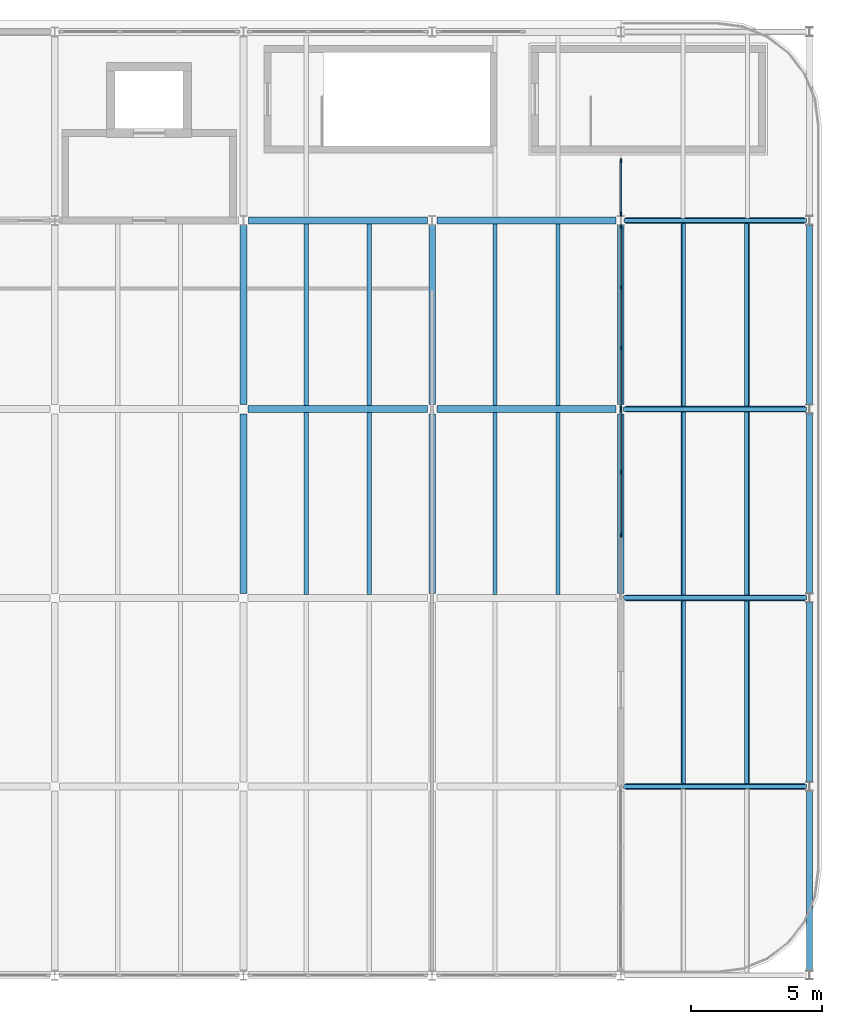
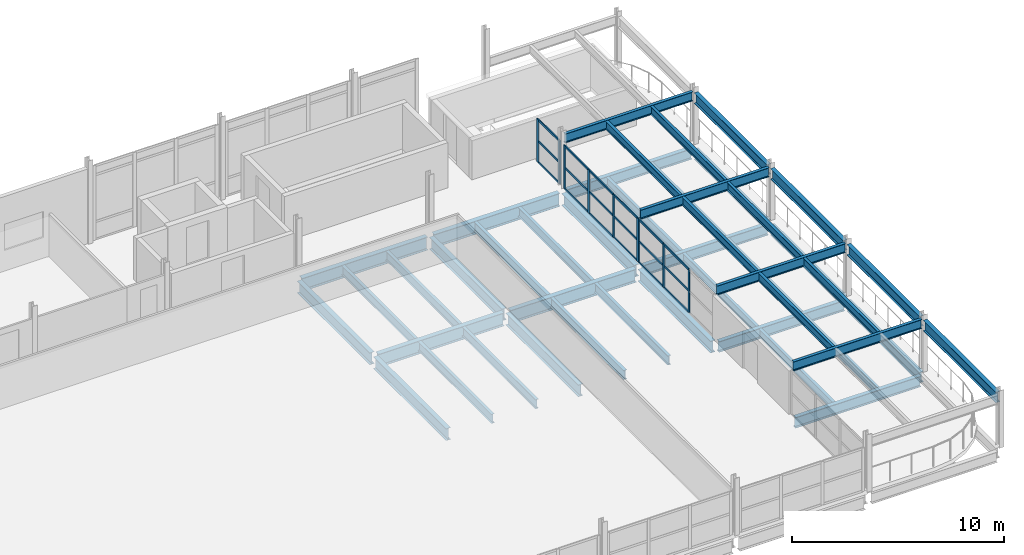
# One storey, part 16 of 25: 45 beams, 27 members, 3 elements without a shape of their own.
"""IFC4 building model written with IfcOpenShell, lengths in metres."""

from ifc_helpers import new_model, si_unit, direction, frame, origin, origin_2d, place, context, subcontext, project, spatial, rectangle, i_section, extrude, material, material_profile, profile_set, type_object, element, aggregate, save


model = new_model("IFC4")

# Units and contexts
model_context = context("Model", 3, precision=1e-05, world=origin(), true_north=direction((0.0, 1.0)))
body_context = subcontext(model_context, "Body", "Model", "MODEL_VIEW")
ifc_project = project(units=[si_unit("LENGTHUNIT", "METRE"), si_unit("AREAUNIT", "SQUARE_METRE"), si_unit("VOLUMEUNIT", "CUBIC_METRE"), si_unit("PLANEANGLEUNIT", "RADIAN"), si_unit("MASSUNIT", "GRAM", prefix="KILO")], contexts=[model_context])

# Site, building, storey
site_placement = place(None, origin())
site = spatial("IfcSite", under=ifc_project, at=site_placement, CompositionType="ELEMENT")
building_placement = place(site_placement, origin())
building = spatial("IfcBuilding", under=site, at=building_placement, Name="Vaelcorin Mobility Hub", CompositionType="ELEMENT")
storey_placement = place(building_placement, frame((0.0, 0.0, 21.0)))
storey = spatial("IfcBuildingStorey", under=building, at=storey_placement, Name="L05", CompositionType="ELEMENT", Elevation=21.0)

# Beams
ifc_material_1 = material(Name="Steel ASTM A992 Grade 50", Category="steel")
ifc_material_profile_1 = material_profile(ifc_material_1, i_section(OverallWidth=0.152099609375, OverallDepth=0.455078125, WebThickness=0.008056640625, FlangeThickness=0.01318359375, FilletRadius=0.012939453125, at=origin_2d()), Name="W18X40")
ifc_profile_set_1 = profile_set([ifc_material_profile_1], Name="Steel ASTM A992 Grade 50")
beam_type_1 = type_object("IfcBeamType", Name="BM-W18X40", PredefinedType="JOIST", material=ifc_profile_set_1)
for number, where, z_axis, x_axis, name in (
    (1, (117.60009765625, 91.31201171875, -0.447021484375), (0.0, 1.0, 0.0), (-1.0, 0.0, 0.0), "L05 Beam V3E-L05-J-01-02-1"),
    (2, (120.0, 91.31201171875, -0.447021484375), (0.0, 1.0, 0.0), (-1.0, 0.0, 0.0), "L05 Beam V3E-L05-J-01-02-2"),
    (3, (117.60009765625, 98.511962890625, -0.447021484375), (0.0, 1.0, 0.0), (-1.0, 0.0, 0.0), "L05 Beam V3E-L05-J-01-03-1"),
    (4, (120.0, 98.511962890625, -0.447021484375), (0.0, 1.0, 0.0), (-1.0, 0.0, 0.0), "L05 Beam V3E-L05-J-01-03-2"),
    (5, (117.60009765625, 105.7119140625, -0.447021484375), (0.0, 1.0, 0.0), (-1.0, 0.0, 0.0), "L05 Beam V3E-L05-J-01-04-1"),
    (6, (120.0, 105.7119140625, -0.447021484375), (0.0, 1.0, 0.0), (-1.0, 0.0, 0.0), "L05 Beam V3E-L05-J-01-04-2"),
):
    element("IfcBeam", number, at=place(storey_placement, frame(where, z_axis=z_axis, x_axis=x_axis)), inside=storey, type_object=beam_type_1, Name=name, PredefinedType="JOIST", context=body_context, shape_type="SweptSolid", body=[
        extrude(i_section(OverallWidth=0.152099609375, OverallDepth=0.455078125, WebThickness=0.008056640625, FlangeThickness=0.01318359375, FilletRadius=0.012939453125, at=origin_2d()), origin(), (0.0, 0.0, 1.0), 6.97607421875),
    ])
for number, where, z_axis, x_axis, name in (
    (7, (120.02392578125, 91.281005859375, 2.77197265625), (0.0, 1.0, 0.0), (-1.0, 0.0, 0.0), "L05 Beam V3-PERG-J-E-02-1"),
    (8, (117.575927734375, 91.281005859375, 2.77197265625), (0.0, 1.0, 0.0), (-1.0, 0.0, 0.0), "L05 Beam V3-PERG-J-E-02-2"),
    (9, (120.02392578125, 98.48095703125, 2.77197265625), (0.0, 1.0, 0.0), (-1.0, 0.0, 0.0), "L05 Beam V3-PERG-J-E-03-1"),
    (10, (117.575927734375, 98.48095703125, 2.77197265625), (0.0, 1.0, 0.0), (-1.0, 0.0, 0.0), "L05 Beam V3-PERG-J-E-03-2"),
    (11, (120.02392578125, 105.680908203125, 2.77197265625), (0.0, 1.0, 0.0), (-1.0, 0.0, 0.0), "L05 Beam V3-PERG-J-E-04-1"),
    (12, (117.575927734375, 105.680908203125, 2.77197265625), (0.0, 1.0, 0.0), (-1.0, 0.0, 0.0), "L05 Beam V3-PERG-J-E-04-2"),
):
    element("IfcBeam", number, at=place(storey_placement, frame(where, z_axis=z_axis, x_axis=x_axis)), inside=storey, type_object=beam_type_1, Name=name, PredefinedType="JOIST", context=body_context, shape_type="SweptSolid", body=[
        extrude(i_section(OverallWidth=0.152099609375, OverallDepth=0.455078125, WebThickness=0.008056640625, FlangeThickness=0.01318359375, FilletRadius=0.012939453125, at=origin_2d()), origin(), (0.0, 0.0, 1.0), 7.0380859375),
    ])
ifc_material_profile_2 = material_profile(ifc_material_1, i_section(OverallWidth=0.166015625, OverallDepth=0.528076171875, WebThickness=0.009765625, FlangeThickness=0.013671875, FilletRadius=0.013916015625, at=origin_2d()), Name="W21X50")
ifc_profile_set_2 = profile_set([ifc_material_profile_2], Name="Steel ASTM A992 Grade 50")
beam_type_2 = type_object("IfcBeamType", Name="BM-W21X50", PredefinedType="JOIST", material=ifc_profile_set_2)
for number, where, z_axis, x_axis, name in (
    (13, (103.199951171875, 98.531982421875, -0.52392578125), (0.0, 1.0, 0.0), (-1.0, 0.0, 0.0), "L05 Beam V3-L05-J-09-03-1"),
    (14, (105.60009765625, 98.531982421875, -0.52392578125), (0.0, 1.0, 0.0), (-1.0, 0.0, 0.0), "L05 Beam V3-L05-J-09-03-2"),
    (15, (103.199951171875, 105.73193359375, -0.52392578125), (0.0, 1.0, 0.0), (-1.0, 0.0, 0.0), "L05 Beam V3-L05-J-09-04-1"),
    (16, (105.60009765625, 105.73193359375, -0.52392578125), (0.0, 1.0, 0.0), (-1.0, 0.0, 0.0), "L05 Beam V3-L05-J-09-04-2"),
    (17, (110.39990234375, 98.531982421875, -0.52392578125), (0.0, 1.0, 0.0), (-1.0, 0.0, 0.0), "L05 Beam V3-L05-J-10-03-1"),
    (18, (112.800048828125, 98.531982421875, -0.52392578125), (0.0, 1.0, 0.0), (-1.0, 0.0, 0.0), "L05 Beam V3-L05-J-10-03-2"),
    (19, (110.39990234375, 105.73193359375, -0.52392578125), (0.0, 1.0, 0.0), (-1.0, 0.0, 0.0), "L05 Beam V3-L05-J-10-04-1"),
    (20, (112.800048828125, 105.73193359375, -0.52392578125), (0.0, 1.0, 0.0), (-1.0, 0.0, 0.0), "L05 Beam V3-L05-J-10-04-2"),
):
    element("IfcBeam", number, at=place(storey_placement, frame(where, z_axis=z_axis, x_axis=x_axis)), inside=storey, type_object=beam_type_2, Name=name, PredefinedType="JOIST", context=body_context, shape_type="SweptSolid", body=[
        extrude(i_section(OverallWidth=0.166015625, OverallDepth=0.528076171875, WebThickness=0.009765625, FlangeThickness=0.013671875, FilletRadius=0.013916015625, at=origin_2d()), origin(), (0.0, 0.0, 1.0), 6.93603515625),
    ])
for number, where, z_axis, x_axis, name in (
    (21, (115.300048828125, 91.199951171875, 2.736083984375), (1.0, 0.0, 0.0), (0.0, 1.0, 0.0), "L05 Beam V3-PERG-GX-12-01"),
    (22, (115.300048828125, 98.39990234375, 2.736083984375), (1.0, 0.0, 0.0), (0.0, 1.0, 0.0), "L05 Beam V3-PERG-GX-12-02"),
    (23, (115.300048828125, 105.60009765625, 2.736083984375), (1.0, 0.0, 0.0), (0.0, 1.0, 0.0), "L05 Beam V3-PERG-GX-12-03"),
):
    element("IfcBeam", number, at=place(storey_placement, frame(where, z_axis=z_axis, x_axis=x_axis)), inside=storey, type_object=beam_type_2, Name=name, PredefinedType="JOIST", context=body_context, shape_type="SweptSolid", body=[
        extrude(i_section(OverallWidth=0.166015625, OverallDepth=0.528076171875, WebThickness=0.009765625, FlangeThickness=0.013671875, FilletRadius=0.013916015625, at=origin_2d()), origin(), (0.0, 0.0, 1.0), 6.974853515625),
    ])
beam_1_placement = place(storey_placement, frame((115.325927734375, 112.800048828125, 2.736083984375), z_axis=(1.0, 0.0, 0.0), x_axis=(0.0, 1.0, 0.0)))
element("IfcBeam", 24, at=beam_1_placement, inside=storey, type_object=beam_type_2, Name="L05 Beam V3-PERG-GX-12-04", PredefinedType="JOIST", context=body_context, shape_type="SweptSolid", body=[
    extrude(i_section(OverallWidth=0.166015625, OverallDepth=0.528076171875, WebThickness=0.009765625, FlangeThickness=0.013671875, FilletRadius=0.013916015625, at=origin_2d()), origin(), (0.0, 0.0, 1.0), 6.948974609375),
])
ifc_material_profile_3 = material_profile(ifc_material_1, i_section(OverallWidth=0.22802734375, OverallDepth=0.60205078125, WebThickness=0.010498046875, FlangeThickness=0.014892578125, FilletRadius=0.014892578125, at=origin_2d()), Name="W24X68")
ifc_profile_set_3 = profile_set([ifc_material_profile_3], Name="Steel ASTM A992 Grade 50")
beam_type_3 = type_object("IfcBeamType", Name="BM-W24X68", PredefinedType="SPANDREL", material=ifc_profile_set_3)
for number, where, z_axis, x_axis, name in (
    (25, (122.39990234375, 91.3759765625, -0.52099609375), (0.0, 1.0, 0.0), (-1.0, 0.0, 0.0), "L05 Beam V3E-L05-GY-02-02"),
    (26, (122.39990234375, 98.575927734375, -0.52099609375), (0.0, 1.0, 0.0), (-1.0, 0.0, 0.0), "L05 Beam V3E-L05-GY-02-03"),
):
    element("IfcBeam", number, at=place(storey_placement, frame(where, z_axis=z_axis, x_axis=x_axis)), inside=storey, type_object=beam_type_3, Name=name, PredefinedType="SPANDREL", context=body_context, shape_type="SweptSolid", body=[
        extrude(i_section(OverallWidth=0.22802734375, OverallDepth=0.60205078125, WebThickness=0.010498046875, FlangeThickness=0.014892578125, FilletRadius=0.014892578125, at=origin_2d()), origin(), (0.0, 0.0, 1.0), 6.84814453125),
    ])
beam_2_placement = place(storey_placement, frame((122.39990234375, 105.77587890625, -0.52099609375), z_axis=(0.0, 1.0, 0.0), x_axis=(-1.0, 0.0, 0.0)))
element("IfcBeam", 27, at=beam_2_placement, inside=storey, type_object=beam_type_3, Name="L05 Beam V3E-L05-GY-02-04", PredefinedType="SPANDREL", context=body_context, shape_type="SweptSolid", body=[
    extrude(i_section(OverallWidth=0.22802734375, OverallDepth=0.60205078125, WebThickness=0.010498046875, FlangeThickness=0.014892578125, FilletRadius=0.014892578125, at=origin_2d()), origin(), (0.0, 0.0, 1.0), 6.84423828125),
])
beam_3_placement = place(storey_placement, frame((122.39990234375, 84.176025390625, 2.698974609375), z_axis=(0.0, 1.0, 0.0), x_axis=(-1.0, 0.0, 0.0)))
element("IfcBeam", 28, at=beam_3_placement, inside=storey, type_object=beam_type_3, Name="L05 Beam V3-PERG-GY-E-01", PredefinedType="SPANDREL", context=body_context, shape_type="SweptSolid", body=[
    extrude(i_section(OverallWidth=0.22802734375, OverallDepth=0.60205078125, WebThickness=0.010498046875, FlangeThickness=0.014892578125, FilletRadius=0.014892578125, at=origin_2d()), origin(), (0.0, 0.0, 1.0), 6.847900390625),
])
for number, where, z_axis, x_axis, name in (
    (29, (122.39990234375, 91.3759765625, 2.698974609375), (0.0, 1.0, 0.0), (-1.0, 0.0, 0.0), "L05 Beam V3-PERG-GY-E-02"),
    (30, (122.39990234375, 98.575927734375, 2.698974609375), (0.0, 1.0, 0.0), (-1.0, 0.0, 0.0), "L05 Beam V3-PERG-GY-E-03"),
    (31, (122.39990234375, 105.77587890625, 2.698974609375), (0.0, 1.0, 0.0), (-1.0, 0.0, 0.0), "L05 Beam V3-PERG-GY-E-04"),
):
    element("IfcBeam", number, at=place(storey_placement, frame(where, z_axis=z_axis, x_axis=x_axis)), inside=storey, type_object=beam_type_3, Name=name, PredefinedType="SPANDREL", context=body_context, shape_type="SweptSolid", body=[
        extrude(i_section(OverallWidth=0.22802734375, OverallDepth=0.60205078125, WebThickness=0.010498046875, FlangeThickness=0.014892578125, FilletRadius=0.014892578125, at=origin_2d()), origin(), (0.0, 0.0, 1.0), 6.84814453125),
    ])
ifc_material_profile_4 = material_profile(ifc_material_1, i_section(OverallWidth=0.22900390625, OverallDepth=0.612060546875, WebThickness=0.011962890625, FlangeThickness=0.01953125, FilletRadius=0.014892578125, at=origin_2d()), Name="W24X84")
ifc_profile_set_4 = profile_set([ifc_material_profile_4], Name="Steel ASTM A992 Grade 50")
beam_type_4 = type_object("IfcBeamType", Name="BM-W24X84", PredefinedType="BEAM", material=ifc_profile_set_4)
for number, where, z_axis, x_axis, name in (
    (32, (115.382080078125, 91.199951171875, -0.52587890625), (1.0, 0.0, 0.0), (0.0, 1.0, 0.0), "L05 Beam V3E-L05-GX-02-01"),
    (33, (115.382080078125, 98.39990234375, -0.52587890625), (1.0, 0.0, 0.0), (0.0, 1.0, 0.0), "L05 Beam V3E-L05-GX-03-01"),
    (34, (115.382080078125, 105.60009765625, -0.52587890625), (1.0, 0.0, 0.0), (0.0, 1.0, 0.0), "L05 Beam V3E-L05-GX-04-01"),
):
    element("IfcBeam", number, at=place(storey_placement, frame(where, z_axis=z_axis, x_axis=x_axis)), inside=storey, type_object=beam_type_4, Name=name, PredefinedType="BEAM", context=body_context, shape_type="SweptSolid", body=[
        extrude(i_section(OverallWidth=0.22900390625, OverallDepth=0.612060546875, WebThickness=0.011962890625, FlangeThickness=0.01953125, FilletRadius=0.014892578125, at=origin_2d()), origin(), (0.0, 0.0, 1.0), 6.8359375),
    ])
beam_4_placement = place(storey_placement, frame((115.384033203125, 112.800048828125, -0.52587890625), z_axis=(1.0, 0.0, 0.0), x_axis=(0.0, 1.0, 0.0)))
element("IfcBeam", 35, at=beam_4_placement, inside=storey, type_object=beam_type_4, Name="L05 Beam V3E-L05-GX-05-01", PredefinedType="BEAM", context=body_context, shape_type="SweptSolid", body=[
    extrude(i_section(OverallWidth=0.22900390625, OverallDepth=0.612060546875, WebThickness=0.011962890625, FlangeThickness=0.01953125, FilletRadius=0.014892578125, at=origin_2d()), origin(), (0.0, 0.0, 1.0), 6.8330078125),
])
ifc_material_profile_5 = material_profile(ifc_material_1, i_section(OverallWidth=0.25390625, OverallDepth=0.68310546875, WebThickness=0.012451171875, FlangeThickness=0.018798828125, FilletRadius=0.01611328125, at=origin_2d()), Name="W27X94")
ifc_profile_set_5 = profile_set([ifc_material_profile_5], Name="Steel ASTM A992 Grade 50")
beam_type_5 = type_object("IfcBeamType", Name="BM-W27X94", PredefinedType="BEAM", material=ifc_profile_set_5)
beam_5_placement = place(storey_placement, frame((100.800048828125, 98.575927734375, -0.60205078125), z_axis=(0.0, 1.0, 0.0), x_axis=(-1.0, 0.0, 0.0)))
element("IfcBeam", 36, at=beam_5_placement, inside=storey, type_object=beam_type_5, Name="L05 Beam V3-L05-GY-09-03", PredefinedType="BEAM", context=body_context, shape_type="SweptSolid", body=[
    extrude(i_section(OverallWidth=0.25390625, OverallDepth=0.68310546875, WebThickness=0.012451171875, FlangeThickness=0.018798828125, FilletRadius=0.01611328125, at=origin_2d()), origin(), (0.0, 0.0, 1.0), 6.84814453125),
])
beam_6_placement = place(storey_placement, frame((100.800048828125, 105.77587890625, -0.60205078125), z_axis=(0.0, 1.0, 0.0), x_axis=(-1.0, 0.0, 0.0)))
element("IfcBeam", 37, at=beam_6_placement, inside=storey, type_object=beam_type_5, Name="L05 Beam V3-L05-GY-09-04", PredefinedType="BEAM", context=body_context, shape_type="SweptSolid", body=[
    extrude(i_section(OverallWidth=0.25390625, OverallDepth=0.68310546875, WebThickness=0.012451171875, FlangeThickness=0.018798828125, FilletRadius=0.01611328125, at=origin_2d()), origin(), (0.0, 0.0, 1.0), 6.84423828125),
])
beam_7_placement = place(storey_placement, frame((108.0, 98.575927734375, -0.60205078125), z_axis=(0.0, 1.0, 0.0), x_axis=(-1.0, 0.0, 0.0)))
element("IfcBeam", 38, at=beam_7_placement, inside=storey, type_object=beam_type_5, Name="L05 Beam V3-L05-GY-10-03", PredefinedType="BEAM", context=body_context, shape_type="SweptSolid", body=[
    extrude(i_section(OverallWidth=0.25390625, OverallDepth=0.68310546875, WebThickness=0.012451171875, FlangeThickness=0.018798828125, FilletRadius=0.01611328125, at=origin_2d()), origin(), (0.0, 0.0, 1.0), 6.84814453125),
])
beam_8_placement = place(storey_placement, frame((108.0, 105.77587890625, -0.60205078125), z_axis=(0.0, 1.0, 0.0), x_axis=(-1.0, 0.0, 0.0)))
element("IfcBeam", 39, at=beam_8_placement, inside=storey, type_object=beam_type_5, Name="L05 Beam V3-L05-GY-10-04", PredefinedType="BEAM", context=body_context, shape_type="SweptSolid", body=[
    extrude(i_section(OverallWidth=0.25390625, OverallDepth=0.68310546875, WebThickness=0.012451171875, FlangeThickness=0.018798828125, FilletRadius=0.01611328125, at=origin_2d()), origin(), (0.0, 0.0, 1.0), 6.84423828125),
])
beam_9_placement = place(storey_placement, frame((115.199951171875, 98.575927734375, -0.60205078125), z_axis=(0.0, 1.0, 0.0), x_axis=(-1.0, 0.0, 0.0)))
element("IfcBeam", 40, at=beam_9_placement, inside=storey, type_object=beam_type_5, Name="L05 Beam V3-L05-GY-11-03", PredefinedType="BEAM", context=body_context, shape_type="SweptSolid", body=[
    extrude(i_section(OverallWidth=0.25390625, OverallDepth=0.68310546875, WebThickness=0.012451171875, FlangeThickness=0.018798828125, FilletRadius=0.01611328125, at=origin_2d()), origin(), (0.0, 0.0, 1.0), 6.84814453125),
])
beam_10_placement = place(storey_placement, frame((115.199951171875, 105.77587890625, -0.60205078125), z_axis=(0.0, 1.0, 0.0), x_axis=(-1.0, 0.0, 0.0)))
element("IfcBeam", 41, at=beam_10_placement, inside=storey, type_object=beam_type_5, Name="L05 Beam V3-L05-GY-11-04", PredefinedType="BEAM", context=body_context, shape_type="SweptSolid", body=[
    extrude(i_section(OverallWidth=0.25390625, OverallDepth=0.68310546875, WebThickness=0.012451171875, FlangeThickness=0.018798828125, FilletRadius=0.01611328125, at=origin_2d()), origin(), (0.0, 0.0, 1.0), 6.84423828125),
])
ifc_material_profile_6 = material_profile(ifc_material_1, i_section(OverallWidth=0.26708984375, OverallDepth=0.757080078125, WebThickness=0.013916015625, FlangeThickness=0.019287109375, FilletRadius=0.01708984375, at=origin_2d()), Name="W30X108")
ifc_profile_set_6 = profile_set([ifc_material_profile_6], Name="Steel ASTM A992 Grade 50")
beam_type_6 = type_object("IfcBeamType", Name="BM-W30X108", PredefinedType="BEAM", material=ifc_profile_set_6)
for number, where, z_axis, x_axis, name in (
    (42, (100.98193359375, 105.60009765625, -0.637939453125), (1.0, 0.0, 0.0), (0.0, 1.0, 0.0), "L05 Beam V3-L05-GX-04-09"),
    (43, (108.181884765625, 105.60009765625, -0.637939453125), (1.0, 0.0, 0.0), (0.0, 1.0, 0.0), "L05 Beam V3-L05-GX-04-10"),
):
    element("IfcBeam", number, at=place(storey_placement, frame(where, z_axis=z_axis, x_axis=x_axis)), inside=storey, type_object=beam_type_6, Name=name, PredefinedType="BEAM", context=body_context, shape_type="SweptSolid", body=[
        extrude(i_section(OverallWidth=0.26708984375, OverallDepth=0.757080078125, WebThickness=0.013916015625, FlangeThickness=0.019287109375, FilletRadius=0.01708984375, at=origin_2d()), origin(), (0.0, 0.0, 1.0), 6.836181640625),
    ])
for number, where, z_axis, x_axis, name in (
    (44, (100.98291015625, 112.800048828125, -0.637939453125), (1.0, 0.0, 0.0), (0.0, 1.0, 0.0), "L05 Beam V3-L05-GX-05-09"),
    (45, (108.18408203125, 112.800048828125, -0.637939453125), (1.0, 0.0, 0.0), (0.0, 1.0, 0.0), "L05 Beam V3-L05-GX-05-10"),
):
    element("IfcBeam", number, at=place(storey_placement, frame(where, z_axis=z_axis, x_axis=x_axis)), inside=storey, type_object=beam_type_6, Name=name, PredefinedType="BEAM", context=body_context, shape_type="SweptSolid", body=[
        extrude(i_section(OverallWidth=0.26708984375, OverallDepth=0.757080078125, WebThickness=0.013916015625, FlangeThickness=0.019287109375, FilletRadius=0.01708984375, at=origin_2d()), origin(), (0.0, 0.0, 1.0), 6.8330078125),
    ])

# Curtain wall, members
ifc_material_2 = material(Name="Anodised aluminium 6063-T6", Category="aluminium")
curtain_wall_type = type_object("IfcCurtainWallType", Name="CW-SPT-B", PredefinedType="NOTDEFINED", material=ifc_material_2)
curtain_wall_1_placement = place(storey_placement, origin())
curtain_wall_1 = element("IfcCurtainWall", 46, at=curtain_wall_1_placement, inside=storey, type_object=curtain_wall_type, Name="L05 Curtain Wall CW-V3-E-03", PredefinedType="NOTDEFINED")
ifc_material_profile_7 = material_profile(ifc_material_2, rectangle(XDim=0.06005859375, YDim=0.159912109375, at=origin_2d()), Name="ALU-M60X160")
ifc_profile_set_7 = profile_set([ifc_material_profile_7], Name="Anodised aluminium 6063-T6")
member_type_1 = type_object("IfcMemberType", Name="CW-MULL-160", PredefinedType="MULLION", material=ifc_profile_set_7)
member_1_placement = place(storey_placement, frame((115.199951171875, 105.568115234375, 0.0), z_axis=(0.0, 0.0, 1.0), x_axis=(1.0, 0.0, 0.0)))
member_1 = element("IfcMember", 47, at=member_1_placement, type_object=member_type_1, Name="CW6 mullion 1", PredefinedType="MULLION", context=body_context, shape_type="SweptSolid", body=[
    extrude(rectangle(XDim=0.06005859375, YDim=0.159912109375, at=origin_2d()), origin(), (0.0, 0.0, 1.0), 2.5),
])
member_2_placement = place(storey_placement, frame((115.199951171875, 103.19921875, 0.0), z_axis=(0.0, 0.0, 1.0), x_axis=(1.0, 0.0, 0.0)))
member_2 = element("IfcMember", 48, at=member_2_placement, type_object=member_type_1, Name="CW6 mullion 2", PredefinedType="MULLION", context=body_context, shape_type="SweptSolid", body=[
    extrude(rectangle(XDim=0.06005859375, YDim=0.159912109375, at=origin_2d()), origin(), (0.0, 0.0, 1.0), 2.5),
])
member_3_placement = place(storey_placement, frame((115.199951171875, 100.80078125, 0.0), z_axis=(0.0, 0.0, 1.0), x_axis=(1.0, 0.0, 0.0)))
member_3 = element("IfcMember", 49, at=member_3_placement, type_object=member_type_1, Name="CW6 mullion 3", PredefinedType="MULLION", context=body_context, shape_type="SweptSolid", body=[
    extrude(rectangle(XDim=0.06005859375, YDim=0.159912109375, at=origin_2d()), origin(), (0.0, 0.0, 1.0), 2.5),
])

curtain_wall_2_placement = place(storey_placement, origin())
curtain_wall_2 = element("IfcCurtainWall", 50, at=curtain_wall_2_placement, inside=storey, type_object=curtain_wall_type, Name="L05 Curtain Wall CW-V3-E-04", PredefinedType="NOTDEFINED")
member_4_placement = place(storey_placement, frame((115.199951171875, 112.550048828125, 0.0), z_axis=(0.0, 0.0, 1.0), x_axis=(1.0, 0.0, 0.0)))
member_4 = element("IfcMember", 51, at=member_4_placement, type_object=member_type_1, Name="CW6 mullion 1", PredefinedType="MULLION", context=body_context, shape_type="SweptSolid", body=[
    extrude(rectangle(XDim=0.06005859375, YDim=0.159912109375, at=origin_2d()), origin(), (0.0, 0.0, 1.0), 2.5),
])
member_5_placement = place(storey_placement, frame((115.199951171875, 110.25390625, 0.0), z_axis=(0.0, 0.0, 1.0), x_axis=(1.0, 0.0, 0.0)))
member_5 = element("IfcMember", 52, at=member_5_placement, type_object=member_type_1, Name="CW6 mullion 2", PredefinedType="MULLION", context=body_context, shape_type="SweptSolid", body=[
    extrude(rectangle(XDim=0.06005859375, YDim=0.159912109375, at=origin_2d()), origin(), (0.0, 0.0, 1.0), 2.5),
])
member_6_placement = place(storey_placement, frame((115.199951171875, 107.927978515625, 0.0), z_axis=(0.0, 0.0, 1.0), x_axis=(1.0, 0.0, 0.0)))
member_6 = element("IfcMember", 53, at=member_6_placement, type_object=member_type_1, Name="CW6 mullion 3", PredefinedType="MULLION", context=body_context, shape_type="SweptSolid", body=[
    extrude(rectangle(XDim=0.06005859375, YDim=0.159912109375, at=origin_2d()), origin(), (0.0, 0.0, 1.0), 2.5),
])
member_7_placement = place(storey_placement, frame((115.199951171875, 105.632080078125, 0.0), z_axis=(0.0, 0.0, 1.0), x_axis=(1.0, 0.0, 0.0)))
member_7 = element("IfcMember", 54, at=member_7_placement, type_object=member_type_1, Name="CW6 mullion 4", PredefinedType="MULLION", context=body_context, shape_type="SweptSolid", body=[
    extrude(rectangle(XDim=0.06005859375, YDim=0.159912109375, at=origin_2d()), origin(), (0.0, 0.0, 1.0), 2.5),
])

curtain_wall_3_placement = place(storey_placement, origin())
curtain_wall_3 = element("IfcCurtainWall", 55, at=curtain_wall_3_placement, inside=storey, type_object=curtain_wall_type, Name="L05 Curtain Wall CW-V3-E-05", PredefinedType="NOTDEFINED")
member_8_placement = place(storey_placement, frame((115.199951171875, 115.070068359375, 0.0), z_axis=(0.0, 0.0, 1.0), x_axis=(1.0, 0.0, 0.0)))
member_8 = element("IfcMember", 56, at=member_8_placement, type_object=member_type_1, Name="CW6 mullion 1", PredefinedType="MULLION", context=body_context, shape_type="SweptSolid", body=[
    extrude(rectangle(XDim=0.06005859375, YDim=0.159912109375, at=origin_2d()), origin(), (0.0, 0.0, 1.0), 2.5),
])
member_9_placement = place(storey_placement, frame((115.199951171875, 113.050048828125, 0.0), z_axis=(0.0, 0.0, 1.0), x_axis=(1.0, 0.0, 0.0)))
member_9 = element("IfcMember", 57, at=member_9_placement, type_object=member_type_1, Name="CW6 mullion 2", PredefinedType="MULLION", context=body_context, shape_type="SweptSolid", body=[
    extrude(rectangle(XDim=0.06005859375, YDim=0.159912109375, at=origin_2d()), origin(), (0.0, 0.0, 1.0), 2.5),
])

# Member
ifc_material_profile_8 = material_profile(ifc_material_2, rectangle(XDim=0.06005859375, YDim=0.1201171875, at=origin_2d()), Name="ALU-T60X120")
ifc_profile_set_8 = profile_set([ifc_material_profile_8], Name="Anodised aluminium 6063-T6")
member_type_2 = type_object("IfcMemberType", Name="CW-TRAN-140", PredefinedType="USERDEFINED", material=ifc_profile_set_8)
member_10_placement = place(storey_placement, frame((115.199951171875, 105.5380859375, 0.030029296875), z_axis=(0.0, -1.0, 0.0), x_axis=(1.0, 0.0, 0.0)))
member_10 = element("IfcMember", 58, at=member_10_placement, type_object=member_type_2, Name="CW6 transom 1.1", ObjectType="TRANSOM", PredefinedType="USERDEFINED", context=body_context, shape_type="SweptSolid", body=[
    extrude(rectangle(XDim=0.06005859375, YDim=0.1201171875, at=origin_2d()), origin(), (0.0, 0.0, 1.0), 2.308837890625),
])

member_11_placement = place(storey_placement, frame((115.199951171875, 105.5380859375, 1.25), z_axis=(0.0, -1.0, 0.0), x_axis=(1.0, 0.0, 0.0)))
member_11 = element("IfcMember", 59, at=member_11_placement, type_object=member_type_2, Name="CW6 transom 1.2", ObjectType="TRANSOM", PredefinedType="USERDEFINED", context=body_context, shape_type="SweptSolid", body=[
    extrude(rectangle(XDim=0.06005859375, YDim=0.1201171875, at=origin_2d()), origin(), (0.0, 0.0, 1.0), 2.308837890625),
])

member_12_placement = place(storey_placement, frame((115.199951171875, 105.5380859375, 2.469970703125), z_axis=(0.0, -1.0, 0.0), x_axis=(1.0, 0.0, 0.0)))
member_12 = element("IfcMember", 60, at=member_12_placement, type_object=member_type_2, Name="CW6 transom 1.3", ObjectType="TRANSOM", PredefinedType="USERDEFINED", context=body_context, shape_type="SweptSolid", body=[
    extrude(rectangle(XDim=0.06005859375, YDim=0.1201171875, at=origin_2d()), origin(), (0.0, 0.0, 1.0), 2.308837890625),
])

member_13_placement = place(storey_placement, frame((115.199951171875, 103.16943359375, 0.030029296875), z_axis=(0.0, -1.0, 0.0), x_axis=(1.0, 0.0, 0.0)))
member_13 = element("IfcMember", 61, at=member_13_placement, type_object=member_type_2, Name="CW6 transom 2.1", ObjectType="TRANSOM", PredefinedType="USERDEFINED", context=body_context, shape_type="SweptSolid", body=[
    extrude(rectangle(XDim=0.06005859375, YDim=0.1201171875, at=origin_2d()), origin(), (0.0, 0.0, 1.0), 2.3388671875),
])

member_14_placement = place(storey_placement, frame((115.199951171875, 103.16943359375, 1.25), z_axis=(0.0, -1.0, 0.0), x_axis=(1.0, 0.0, 0.0)))
member_14 = element("IfcMember", 62, at=member_14_placement, type_object=member_type_2, Name="CW6 transom 2.2", ObjectType="TRANSOM", PredefinedType="USERDEFINED", context=body_context, shape_type="SweptSolid", body=[
    extrude(rectangle(XDim=0.06005859375, YDim=0.1201171875, at=origin_2d()), origin(), (0.0, 0.0, 1.0), 2.3388671875),
])

member_15_placement = place(storey_placement, frame((115.199951171875, 103.16943359375, 2.469970703125), z_axis=(0.0, -1.0, 0.0), x_axis=(1.0, 0.0, 0.0)))
member_15 = element("IfcMember", 63, at=member_15_placement, type_object=member_type_2, Name="CW6 transom 2.3", ObjectType="TRANSOM", PredefinedType="USERDEFINED", context=body_context, shape_type="SweptSolid", body=[
    extrude(rectangle(XDim=0.06005859375, YDim=0.1201171875, at=origin_2d()), origin(), (0.0, 0.0, 1.0), 2.3388671875),
])

aggregate(curtain_wall_1, [member_1, member_2, member_3, member_10, member_11, member_12, member_13, member_14, member_15])

member_16_placement = place(storey_placement, frame((115.199951171875, 112.52001953125, 0.030029296875), z_axis=(0.0, -1.0, 0.0), x_axis=(1.0, 0.0, 0.0)))
member_16 = element("IfcMember", 64, at=member_16_placement, type_object=member_type_2, Name="CW6 transom 1.1", ObjectType="TRANSOM", PredefinedType="USERDEFINED", context=body_context, shape_type="SweptSolid", body=[
    extrude(rectangle(XDim=0.06005859375, YDim=0.1201171875, at=origin_2d()), origin(), (0.0, 0.0, 1.0), 2.236083984375),
])

member_17_placement = place(storey_placement, frame((115.199951171875, 112.52001953125, 1.25), z_axis=(0.0, -1.0, 0.0), x_axis=(1.0, 0.0, 0.0)))
member_17 = element("IfcMember", 65, at=member_17_placement, type_object=member_type_2, Name="CW6 transom 1.2", ObjectType="TRANSOM", PredefinedType="USERDEFINED", context=body_context, shape_type="SweptSolid", body=[
    extrude(rectangle(XDim=0.06005859375, YDim=0.1201171875, at=origin_2d()), origin(), (0.0, 0.0, 1.0), 2.236083984375),
])

member_18_placement = place(storey_placement, frame((115.199951171875, 112.52001953125, 2.469970703125), z_axis=(0.0, -1.0, 0.0), x_axis=(1.0, 0.0, 0.0)))
member_18 = element("IfcMember", 66, at=member_18_placement, type_object=member_type_2, Name="CW6 transom 1.3", ObjectType="TRANSOM", PredefinedType="USERDEFINED", context=body_context, shape_type="SweptSolid", body=[
    extrude(rectangle(XDim=0.06005859375, YDim=0.1201171875, at=origin_2d()), origin(), (0.0, 0.0, 1.0), 2.236083984375),
])

member_19_placement = place(storey_placement, frame((115.199951171875, 110.22412109375, 0.030029296875), z_axis=(0.0, -1.0, 0.0), x_axis=(1.0, 0.0, 0.0)))
member_19 = element("IfcMember", 67, at=member_19_placement, type_object=member_type_2, Name="CW6 transom 2.1", ObjectType="TRANSOM", PredefinedType="USERDEFINED", context=body_context, shape_type="SweptSolid", body=[
    extrude(rectangle(XDim=0.06005859375, YDim=0.1201171875, at=origin_2d()), origin(), (0.0, 0.0, 1.0), 2.26611328125),
])

member_20_placement = place(storey_placement, frame((115.199951171875, 110.22412109375, 1.25), z_axis=(0.0, -1.0, 0.0), x_axis=(1.0, 0.0, 0.0)))
member_20 = element("IfcMember", 68, at=member_20_placement, type_object=member_type_2, Name="CW6 transom 2.2", ObjectType="TRANSOM", PredefinedType="USERDEFINED", context=body_context, shape_type="SweptSolid", body=[
    extrude(rectangle(XDim=0.06005859375, YDim=0.1201171875, at=origin_2d()), origin(), (0.0, 0.0, 1.0), 2.26611328125),
])

member_21_placement = place(storey_placement, frame((115.199951171875, 110.22412109375, 2.469970703125), z_axis=(0.0, -1.0, 0.0), x_axis=(1.0, 0.0, 0.0)))
member_21 = element("IfcMember", 69, at=member_21_placement, type_object=member_type_2, Name="CW6 transom 2.3", ObjectType="TRANSOM", PredefinedType="USERDEFINED", context=body_context, shape_type="SweptSolid", body=[
    extrude(rectangle(XDim=0.06005859375, YDim=0.1201171875, at=origin_2d()), origin(), (0.0, 0.0, 1.0), 2.26611328125),
])

member_22_placement = place(storey_placement, frame((115.199951171875, 107.89794921875, 0.030029296875), z_axis=(0.0, -1.0, 0.0), x_axis=(1.0, 0.0, 0.0)))
member_22 = element("IfcMember", 70, at=member_22_placement, type_object=member_type_2, Name="CW6 transom 3.1", ObjectType="TRANSOM", PredefinedType="USERDEFINED", context=body_context, shape_type="SweptSolid", body=[
    extrude(rectangle(XDim=0.06005859375, YDim=0.1201171875, at=origin_2d()), origin(), (0.0, 0.0, 1.0), 2.23583984375),
])

member_23_placement = place(storey_placement, frame((115.199951171875, 107.89794921875, 1.25), z_axis=(0.0, -1.0, 0.0), x_axis=(1.0, 0.0, 0.0)))
member_23 = element("IfcMember", 71, at=member_23_placement, type_object=member_type_2, Name="CW6 transom 3.2", ObjectType="TRANSOM", PredefinedType="USERDEFINED", context=body_context, shape_type="SweptSolid", body=[
    extrude(rectangle(XDim=0.06005859375, YDim=0.1201171875, at=origin_2d()), origin(), (0.0, 0.0, 1.0), 2.23583984375),
])

member_24_placement = place(storey_placement, frame((115.199951171875, 107.89794921875, 2.469970703125), z_axis=(0.0, -1.0, 0.0), x_axis=(1.0, 0.0, 0.0)))
member_24 = element("IfcMember", 72, at=member_24_placement, type_object=member_type_2, Name="CW6 transom 3.3", ObjectType="TRANSOM", PredefinedType="USERDEFINED", context=body_context, shape_type="SweptSolid", body=[
    extrude(rectangle(XDim=0.06005859375, YDim=0.1201171875, at=origin_2d()), origin(), (0.0, 0.0, 1.0), 2.23583984375),
])

aggregate(curtain_wall_2, [member_4, member_5, member_6, member_7, member_16, member_17, member_18, member_19, member_20, member_21, member_22, member_23, member_24])

member_25_placement = place(storey_placement, frame((115.199951171875, 115.0400390625, 0.030029296875), z_axis=(0.0, -1.0, 0.0), x_axis=(1.0, 0.0, 0.0)))
member_25 = element("IfcMember", 73, at=member_25_placement, type_object=member_type_2, Name="CW6 transom 1.1", ObjectType="TRANSOM", PredefinedType="USERDEFINED", context=body_context, shape_type="SweptSolid", body=[
    extrude(rectangle(XDim=0.06005859375, YDim=0.1201171875, at=origin_2d()), origin(), (0.0, 0.0, 1.0), 1.9599609375),
])

member_26_placement = place(storey_placement, frame((115.199951171875, 115.0400390625, 1.25), z_axis=(0.0, -1.0, 0.0), x_axis=(1.0, 0.0, 0.0)))
member_26 = element("IfcMember", 74, at=member_26_placement, type_object=member_type_2, Name="CW6 transom 1.2", ObjectType="TRANSOM", PredefinedType="USERDEFINED", context=body_context, shape_type="SweptSolid", body=[
    extrude(rectangle(XDim=0.06005859375, YDim=0.1201171875, at=origin_2d()), origin(), (0.0, 0.0, 1.0), 1.9599609375),
])

member_27_placement = place(storey_placement, frame((115.199951171875, 115.0400390625, 2.469970703125), z_axis=(0.0, -1.0, 0.0), x_axis=(1.0, 0.0, 0.0)))
member_27 = element("IfcMember", 75, at=member_27_placement, type_object=member_type_2, Name="CW6 transom 1.3", ObjectType="TRANSOM", PredefinedType="USERDEFINED", context=body_context, shape_type="SweptSolid", body=[
    extrude(rectangle(XDim=0.06005859375, YDim=0.1201171875, at=origin_2d()), origin(), (0.0, 0.0, 1.0), 1.9599609375),
])

aggregate(curtain_wall_3, [member_8, member_9, member_25, member_26, member_27])

save(model, "model.ifc")
